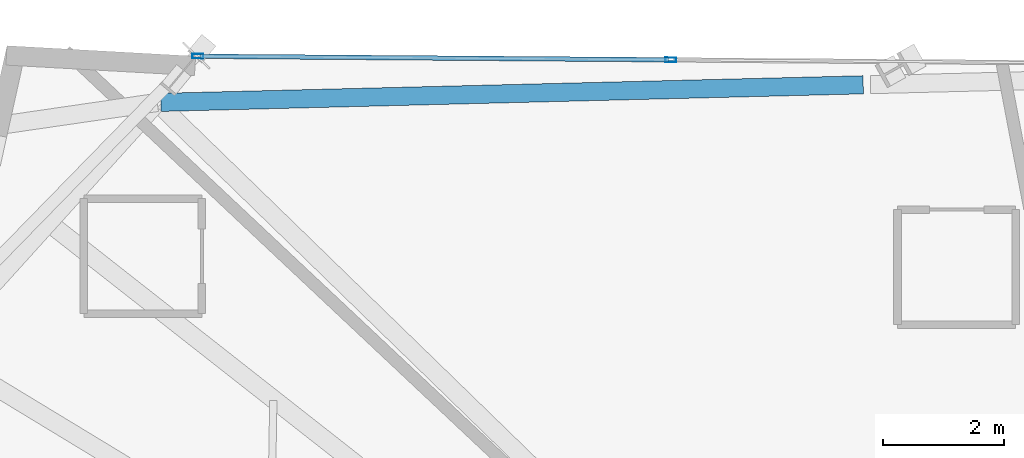
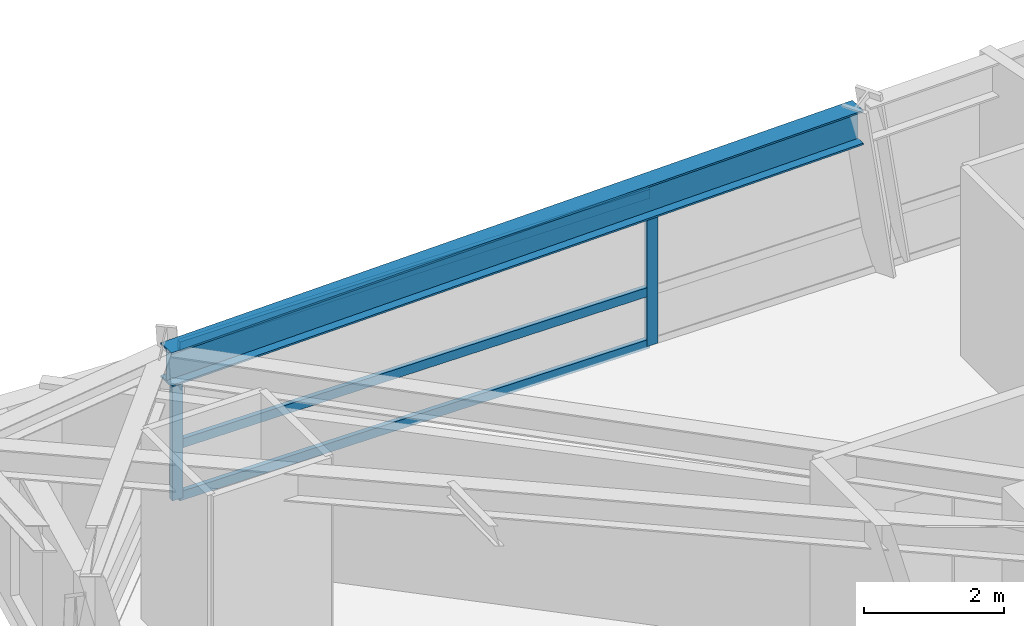
# One storey, part 7 of 22: 5 members, 1 beam, 1 element without a shape of its own.
"""IFC4 building model written with IfcOpenShell, lengths in metres."""

import ifcopenshell
import ifcopenshell.guid

model = None  # the IFC model being written
_history = None  # IfcOwnerHistory: only IFC2X3 demands one
_inside = {}  # id of a spatial element -> (the spatial element, [elements in it])
_under = {}  # id of a project, library or spatial element -> (it, [spatial elements below it])
_declared = {}  # id of a project -> (the project, [libraries it declares])
_typed = {}  # id of a type object -> (the type object, [elements of that type])
_made_of = {}  # id of a material, layer set ... -> (it, [elements and type objects made of it])


def new_model(schema):
    """Start an empty IFC model of exactly this schema.

    Asked for "IFC4X3", IfcOpenShell would pick the latest addendum, in which some entities
    have other attributes; the version numbers below select the first issue.
    IFC2X3 requires an IfcOwnerHistory on every rooted entity: one is made here for all.
    """
    global model, _history
    if schema == "IFC4X3":
        model = ifcopenshell.file(schema_version=(4, 3, 0, 0))
    else:
        model = ifcopenshell.file(schema=schema)
    _inside.clear()
    _under.clear()
    _declared.clear()
    _typed.clear()
    _made_of.clear()
    _history = None
    if model.schema == "IFC2X3":
        org = make("IfcOrganization", Name="unknown")
        user = make(
            "IfcPersonAndOrganization",
            ThePerson=make("IfcPerson", FamilyName="unknown"),
            TheOrganization=org,
        )
        app = make(
            "IfcApplication",
            ApplicationDeveloper=org,
            Version="unknown",
            ApplicationFullName="unknown",
            ApplicationIdentifier="unknown",
        )
        _history = make(
            "IfcOwnerHistory",
            OwningUser=user,
            OwningApplication=app,
            ChangeAction="ADDED",
            CreationDate=0,
        )
    return model


def make(cls, **values):
    """One entity of the class cls with the attributes given. An attribute that is None is left unset."""
    return model.create_entity(
        cls, **{name: value for name, value in values.items() if value is not None}
    )


def rooted(cls, **values):
    """An entity with a GlobalId (a new one), such as an element, a storey or a relation."""
    return make(cls, GlobalId=ifcopenshell.guid.new(), OwnerHistory=_history, **values)


def si_unit(unit_type, name, prefix=None):
    """IfcSIUnit, for example si_unit("LENGTHUNIT", "METRE", prefix="MILLI")."""
    return make("IfcSIUnit", UnitType=unit_type, Prefix=prefix, Name=name)


def assignment(units):
    """IfcUnitAssignment: the units of a project."""
    return None if units is None else make("IfcUnitAssignment", Units=units)


def point(xyz):
    """IfcCartesianPoint."""
    return None if xyz is None else make("IfcCartesianPoint", Coordinates=xyz)


def direction(xyz):
    """IfcDirection."""
    return None if xyz is None else make("IfcDirection", DirectionRatios=xyz)


def frame(location, z_axis=None, x_axis=None):
    """IfcAxis2Placement3D, a coordinate frame: its origin and axes. An axis left out is left unset."""
    return make(
        "IfcAxis2Placement3D",
        Location=point(location),
        Axis=direction(z_axis),
        RefDirection=direction(x_axis),
    )


def frame_2d(location, x_axis=None):
    """IfcAxis2Placement2D, a coordinate frame in the plane: its origin and x axis."""
    return make(
        "IfcAxis2Placement2D", Location=point(location), RefDirection=direction(x_axis)
    )


def origin():
    """The frame at (0, 0, 0) with its axes left unset."""
    return frame((0.0, 0.0, 0.0))


def origin_2d():
    """The frame at (0, 0) in the plane with its x axis left unset."""
    return frame_2d((0.0, 0.0))


def place(relative_to, where):
    """IfcLocalPlacement: puts the frame where relative to a parent placement (None: the world)."""
    return make(
        "IfcLocalPlacement", PlacementRelTo=relative_to, RelativePlacement=where
    )


def context(
    kind, dimensions, precision=None, world=None, true_north=None, identifier=None
):
    """IfcGeometricRepresentationContext, for example the 3D "Model" context."""
    return make(
        "IfcGeometricRepresentationContext",
        ContextIdentifier=identifier,
        ContextType=kind,
        CoordinateSpaceDimension=dimensions,
        Precision=precision,
        WorldCoordinateSystem=world,
        TrueNorth=true_north,
    )


def subcontext(parent, identifier, kind, view, scale=None):
    """IfcGeometricRepresentationSubContext, for example "Body" below "Model"."""
    return make(
        "IfcGeometricRepresentationSubContext",
        ContextIdentifier=identifier,
        ContextType=kind,
        ParentContext=parent,
        TargetScale=scale,
        TargetView=view,
    )


def project(units=None, contexts=None):
    """IfcProject with its units and contexts."""
    return rooted(
        "IfcProject",
        Name="project",
        RepresentationContexts=contexts,
        UnitsInContext=assignment(units),
    )


def spatial(cls, under=None, at=None, **own):
    """A site, building, storey or space (cls), placed at a placement, below another one or the project."""
    s = rooted(cls, ObjectPlacement=at, **own)
    if under is not None:
        _under.setdefault(under.id(), (under, []))[1].append(s)
    return s


def profile(cls, at=None, kind="AREA", **sizes):
    """A parametric profile (cls). Its sizes go by their IFC names, for example OverallWidth=200.0."""
    return make(cls, ProfileType=kind, Position=at, **sizes)


def hollow_rectangle(**sizes):
    """IfcRectangleHollowProfileDef."""
    return profile("IfcRectangleHollowProfileDef", **sizes)


def i_section(**sizes):
    """IfcIShapeProfileDef."""
    return profile("IfcIShapeProfileDef", **sizes)


def extrude(swept, where, along, depth):
    """IfcExtrudedAreaSolid: the profile swept, set in the frame where, extruded along a direction by depth."""
    return make(
        "IfcExtrudedAreaSolid",
        SweptArea=swept,
        Position=where,
        ExtrudedDirection=direction(along),
        Depth=depth,
    )


def shape(context_of_items, identifier, shape_type, items):
    """IfcShapeRepresentation: the items that make up one representation, for example the "Body"."""
    return make(
        "IfcShapeRepresentation",
        ContextOfItems=context_of_items,
        RepresentationIdentifier=identifier,
        RepresentationType=shape_type,
        Items=items,
    )


def source(mapping_origin, context_of_items, identifier, shape_type, items):
    """IfcRepresentationMap: a shape defined once, which mapped items show again and again."""
    return make(
        "IfcRepresentationMap",
        MappingOrigin=mapping_origin,
        MappedRepresentation=shape(context_of_items, identifier, shape_type, items),
    )


def transform(
    local_origin,
    x_axis=None,
    y_axis=None,
    z_axis=None,
    scale=None,
    scale2=None,
    scale3=None,
    uniform=True,
):
    """IfcCartesianTransformationOperator3D, or its non-uniform kind. x_axis, y_axis, z_axis: its Axis1, 2, 3."""
    if uniform:
        return make(
            "IfcCartesianTransformationOperator3D",
            Axis1=direction(x_axis),
            Axis2=direction(y_axis),
            LocalOrigin=point(local_origin),
            Scale=scale,
            Axis3=direction(z_axis),
        )
    return make(
        "IfcCartesianTransformationOperator3DnonUniform",
        Axis1=direction(x_axis),
        Axis2=direction(y_axis),
        LocalOrigin=point(local_origin),
        Scale=scale,
        Axis3=direction(z_axis),
        Scale2=scale2,
        Scale3=scale3,
    )


def mapped(mapping_source, mapping_target):
    """IfcMappedItem: shows the shape of a source again, moved by a transform."""
    return make(
        "IfcMappedItem", MappingSource=mapping_source, MappingTarget=mapping_target
    )


def material(Name=None, Category=None):
    """IfcMaterial."""
    return make("IfcMaterial", Name=Name, Category=Category)


def material_profile(
    of_material, cross_section, Name=None, Category=None, Priority=None
):
    """IfcMaterialProfile: a cross section and its material."""
    return make(
        "IfcMaterialProfile",
        Name=Name,
        Material=of_material,
        Profile=cross_section,
        Priority=Priority,
        Category=Category,
    )


def profile_set(profiles, Name=None, composite=None):
    """IfcMaterialProfileSet."""
    return make(
        "IfcMaterialProfileSet",
        Name=Name,
        MaterialProfiles=profiles,
        CompositeProfile=composite,
    )


def made_of(thing, what):
    """Note that an element or type object is made of a material, layer set ...; save() writes the relation."""
    if what is not None:
        _made_of.setdefault(what.id(), (what, []))[1].append(thing)
    return thing


def type_object(cls, material=None, **own):
    """A type object (cls), such as IfcWallType, which elements share."""
    return made_of(rooted(cls, **own), material)


def element(
    cls,
    number,
    at=None,
    inside=None,
    cuts=None,
    type_object=None,
    material=None,
    context=None,
    identifier="Body",
    shape_type=None,
    held_by="IfcProductDefinitionShape",
    body=None,
    shapes=None,
    **own,
):
    """One element of the class cls, such as IfcWall. Its Tag is "e" and its number.

    at: its placement. inside: the storey or other place that contains it. cuts: it is an
    opening in that element (IfcRelVoidsElement). A single representation is given by context,
    identifier, shape_type and body (its items); several are given by shapes. held_by: the class
    of the entity that holds the representations. save() writes the other relations.
    """
    e = rooted(cls, Tag="e%d" % number, ObjectPlacement=at, **own)
    if body is not None:
        shapes = [shape(context, identifier, shape_type, body)]
    if shapes is not None:
        e.Representation = make(held_by, Representations=shapes)
    if inside is not None:
        _inside.setdefault(inside.id(), (inside, []))[1].append(e)
    if cuts is not None:
        rooted(
            "IfcRelVoidsElement", RelatingBuildingElement=cuts, RelatedOpeningElement=e
        )
    if type_object is not None:
        _typed.setdefault(type_object.id(), (type_object, []))[1].append(e)
    return made_of(e, material)


def aggregate(whole, parts):
    """IfcRelAggregates: a whole, such as a stair, and the parts it consists of."""
    return rooted("IfcRelAggregates", RelatingObject=whole, RelatedObjects=parts)


def save(model, path):
    """Write the relations noted so far, then the file.

    IfcRelAggregates (storeys below a building ...), IfcRelContainedInSpatialStructure (elements
    in a storey), IfcRelDefinesByType, IfcRelAssociatesMaterial and IfcRelDeclares: one each for
    every whole, place, type object, material and project.
    """
    for whole, parts in _under.values():
        aggregate(whole, parts)
    for where, things in _inside.values():
        rooted(
            "IfcRelContainedInSpatialStructure",
            RelatedElements=things,
            RelatingStructure=where,
        )
    for kind, things in _typed.values():
        rooted("IfcRelDefinesByType", RelatedObjects=things, RelatingType=kind)
    for what, things in _made_of.values():
        rooted("IfcRelAssociatesMaterial", RelatedObjects=things, RelatingMaterial=what)
    for by, libraries in _declared.values():
        rooted("IfcRelDeclares", RelatingContext=by, RelatedDefinitions=libraries)
    model.write(path)


model = new_model("IFC4")

# Units and contexts
model_context = context("Model", 3, precision=1e-05, world=origin(), true_north=direction((0.0, 1.0)))
body_context = subcontext(model_context, "Body", "Model", "MODEL_VIEW")
ifc_project = project(units=[si_unit("LENGTHUNIT", "METRE"), si_unit("AREAUNIT", "SQUARE_METRE"), si_unit("VOLUMEUNIT", "CUBIC_METRE"), si_unit("PLANEANGLEUNIT", "RADIAN"), si_unit("MASSUNIT", "GRAM", prefix="KILO")], contexts=[model_context])

# Site, building, storey
site_placement = place(None, origin())
site = spatial("IfcSite", under=ifc_project, at=site_placement, CompositionType="ELEMENT")
building_placement = place(site_placement, origin())
building = spatial("IfcBuilding", under=site, at=building_placement, Name="Olszyna Solenne Hotel", CompositionType="ELEMENT")
storey_placement = place(building_placement, frame((0.0, 0.0, 95.050048828125)))
storey = spatial("IfcBuildingStorey", under=building, at=storey_placement, Name="L24", CompositionType="ELEMENT", Elevation=95.050048828125)

# Beam
ifc_material_1 = material(Name="Steel S355J2", Category="steel")
ifc_material_profile_1 = material_profile(ifc_material_1, i_section(OverallWidth=0.300048828125, OverallDepth=0.60009765625, WebThickness=0.015380859375, FlangeThickness=0.030029296875, at=origin_2d()), Name="HEB 600", Category="load-bearing")
ifc_profile_set_1 = profile_set([ifc_material_profile_1], Name="Steel S355J2")
beam_type = type_object("IfcBeamType", Name="BM-S2", PredefinedType="BEAM", material=ifc_profile_set_1)
shared_shape_1 = source(origin(), body_context, "Body", "SweptSolid", [
    extrude(i_section(OverallWidth=0.300048828125, OverallDepth=0.60009765625, WebThickness=0.015380859375, FlangeThickness=0.030029296875, at=origin_2d()), origin(), (0.0, 0.0, 1.0), 11.60400390625),
])
beam_placement = place(storey_placement, frame((32.379638671875, 43.68603515625, 3.0), z_axis=(-0.999687580698, -0.024994819444, 0.0), x_axis=(0.024994819444, -0.999687580698, 0.0)))
element("IfcBeam", 1, at=beam_placement, inside=storey, type_object=beam_type, Name="Perimeter spandrel beam BM-S2 B-L24-0723", PredefinedType="BEAM", context=body_context, shape_type="MappedRepresentation", body=[
    mapped(shared_shape_1, transform((0.0, 0.0, 0.0), x_axis=(1.0, 0.0, 0.0), y_axis=(0.0, 1.0, 0.0), z_axis=(0.0, 0.0, 1.0), scale=1.0)),
])

# Curtain wall, members
ifc_material_2 = material(Name="Anodised bronze aluminium", Category="aluminium")
curtain_wall_type = type_object("IfcCurtainWallType", Name="CW-SYS-3", PredefinedType="NOTDEFINED", material=ifc_material_2)
curtain_wall_placement = place(storey_placement, origin())
curtain_wall = element("IfcCurtainWall", 2, at=curtain_wall_placement, inside=storey, type_object=curtain_wall_type, Name="Unitised curtain wall CW-SYS-3 CW-L24-02", PredefinedType="NOTDEFINED")
ifc_material_profile_2 = material_profile(ifc_material_2, hollow_rectangle(XDim=0.074951171875, YDim=0.159912109375, WallThickness=0.00390625, at=origin_2d()), Name="TRAN 160x75x4", Category="load-bearing")
ifc_profile_set_2 = profile_set([ifc_material_profile_2], Name="Anodised bronze aluminium")
member_type_1 = type_object("IfcMemberType", Name="CW-T1", PredefinedType="USERDEFINED", material=ifc_profile_set_2)
shared_shape_2 = source(origin(), body_context, "Body", "SweptSolid", [
    extrude(hollow_rectangle(XDim=0.074951171875, YDim=0.159912109375, WallThickness=0.00390625, at=origin_2d()), origin(), (0.0, 0.0, 1.0), 7.7353515625),
])
member_1_placement = place(storey_placement, frame((21.4287109375, 44.157958984375, 0.037353515625), z_axis=(0.999971549187, -0.007543262957, 0.0), x_axis=(0.007543262957, 0.999971549187, 0.0)))
member_1 = element("IfcMember", 3, at=member_1_placement, type_object=member_type_1, Name="Curtain-wall transom CW-T1 CT-L24-02-01", ObjectType="TRANSOM", PredefinedType="USERDEFINED", context=body_context, shape_type="MappedRepresentation", body=[
    mapped(shared_shape_2, transform((0.0, 0.0, 0.0), x_axis=(1.0, 0.0, 0.0), y_axis=(0.0, 1.0, 0.0), z_axis=(0.0, 0.0, 1.0), scale=1.0)),
])
member_2_placement = place(storey_placement, frame((21.4287109375, 44.157958984375, 0.949951171875), z_axis=(0.999971549187, -0.007543262957, 0.0), x_axis=(0.007543262957, 0.999971549187, 0.0)))
member_2 = element("IfcMember", 4, at=member_2_placement, type_object=member_type_1, Name="Curtain-wall transom CW-T1 CT-L24-02-02", ObjectType="TRANSOM", PredefinedType="USERDEFINED", context=body_context, shape_type="MappedRepresentation", body=[
    mapped(shared_shape_2, transform((0.0, 0.0, 0.0), x_axis=(1.0, 0.0, 0.0), y_axis=(0.0, 1.0, 0.0), z_axis=(0.0, 0.0, 1.0), scale=1.0)),
])
member_3_placement = place(storey_placement, frame((21.4287109375, 44.157958984375, 2.654541015625), z_axis=(0.999971549187, -0.007543262957, 0.0), x_axis=(0.007543262957, 0.999971549187, 0.0)))
member_3 = element("IfcMember", 5, at=member_3_placement, type_object=member_type_1, Name="Curtain-wall transom CW-T1 CT-L24-02-03", ObjectType="TRANSOM", PredefinedType="USERDEFINED", context=body_context, shape_type="MappedRepresentation", body=[
    mapped(shared_shape_2, transform((0.0, 0.0, 0.0), x_axis=(1.0, 0.0, 0.0), y_axis=(0.0, 1.0, 0.0), z_axis=(0.0, 0.0, 1.0), scale=1.0)),
])
ifc_material_profile_3 = material_profile(ifc_material_2, hollow_rectangle(XDim=0.074951171875, YDim=0.179931640625, WallThickness=0.00439453125, at=origin_2d()), Name="MULL 180x75x4.5", Category="load-bearing")
ifc_profile_set_3 = profile_set([ifc_material_profile_3], Name="Anodised bronze aluminium")
member_type_2 = type_object("IfcMemberType", Name="CW-M2", PredefinedType="MULLION", material=ifc_profile_set_3)
shared_shape_3 = source(origin(), body_context, "Body", "SweptSolid", [
    extrude(hollow_rectangle(XDim=0.074951171875, YDim=0.179931640625, WallThickness=0.00439453125, at=origin_2d()), origin(), (0.0, 0.0, 1.0), 2.69189453125),
])
member_4_placement = place(storey_placement, frame((21.39111328125, 44.158203125, 0.0), z_axis=(0.0, 0.0, 1.0), x_axis=(0.007564793352, 0.999971386541, 0.0)))
member_4 = element("IfcMember", 6, at=member_4_placement, type_object=member_type_2, Name="Curtain-wall mullion CW-M2 CM-L24-02-01", PredefinedType="MULLION", context=body_context, shape_type="MappedRepresentation", body=[
    mapped(shared_shape_3, transform((0.0, 0.0, 0.0), x_axis=(1.0, 0.0, 0.0), y_axis=(0.0, 1.0, 0.0), z_axis=(0.0, 0.0, 1.0), scale=1.0)),
])
member_5_placement = place(storey_placement, frame((29.201171875, 44.09912109375, 0.0), z_axis=(0.0, 0.0, 1.0), x_axis=(0.007564793352, 0.999971386541, 0.0)))
member_5 = element("IfcMember", 7, at=member_5_placement, type_object=member_type_2, Name="Curtain-wall mullion CW-M2 CM-L24-02-02", PredefinedType="MULLION", context=body_context, shape_type="MappedRepresentation", body=[
    mapped(shared_shape_3, transform((0.0, 0.0, 0.0), x_axis=(1.0, 0.0, 0.0), y_axis=(0.0, 1.0, 0.0), z_axis=(0.0, 0.0, 1.0), scale=1.0)),
])
aggregate(curtain_wall, [member_4, member_5, member_1, member_2, member_3])

save(model, "model.ifc")
